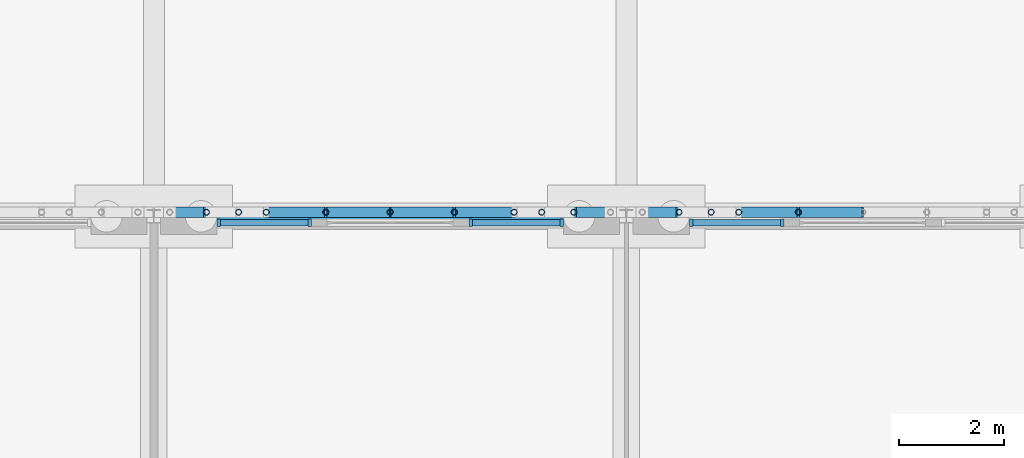
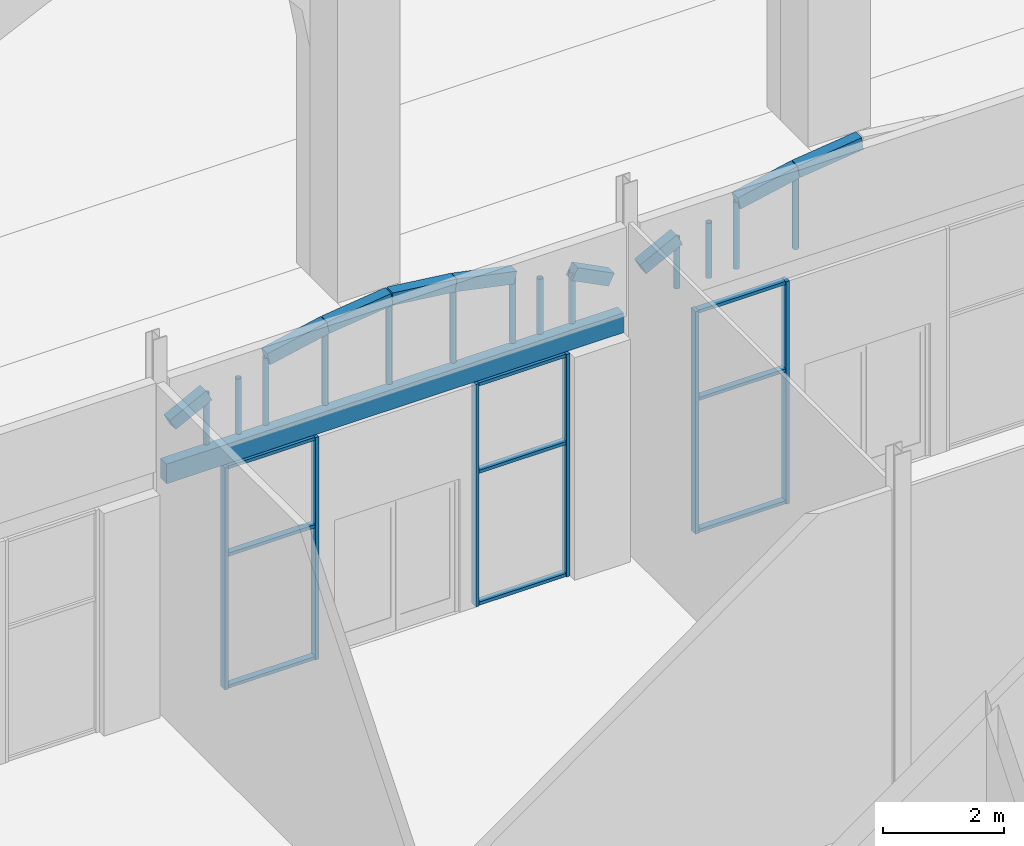
# One storey, part 46 of 250: 28 members, 10 beams, 3 elements without a shape of their own.
"""IFC4 building model written with IfcOpenShell, lengths in metres."""

from ifc_helpers import new_model, si_unit, direction, frame, origin, origin_2d, place, context, subcontext, project, spatial, rectangle, hollow_circle, extrude, material, material_profile, profile_set, type_object, element, aggregate, save


model = new_model("IFC4")

# Units and contexts
model_context = context("Model", 3, precision=1e-05, world=origin(), true_north=direction((0.0, 1.0)))
body_context = subcontext(model_context, "Body", "Model", "MODEL_VIEW")
ifc_project = project(units=[si_unit("LENGTHUNIT", "METRE"), si_unit("AREAUNIT", "SQUARE_METRE"), si_unit("VOLUMEUNIT", "CUBIC_METRE"), si_unit("PLANEANGLEUNIT", "RADIAN"), si_unit("MASSUNIT", "GRAM", prefix="KILO")], contexts=[model_context])

# Site, building, storey
site_placement = place(None, origin())
site = spatial("IfcSite", under=ifc_project, at=site_placement, CompositionType="ELEMENT")
building_placement = place(site_placement, origin())
building = spatial("IfcBuilding", under=site, at=building_placement, Name="Baradari Gate Terminus", CompositionType="ELEMENT")
storey_placement = place(building_placement, origin())
storey = spatial("IfcBuildingStorey", under=building, at=storey_placement, Name="L00", CompositionType="ELEMENT", Elevation=0.0)

# Members
ifc_material_1 = material(Name="Steel S355", Category="steel")
ifc_material_profile_1 = material_profile(ifc_material_1, hollow_circle(Radius=0.05712890625, WallThickness=0.00634765625, at=origin_2d()), Name="CHS 114.3x6.3")
ifc_profile_set_1 = profile_set([ifc_material_profile_1], Name="Steel S355")
member_type_1 = type_object("IfcMemberType", Name="Arcade arch post SP-2 114x6.3", PredefinedType="POST", material=ifc_profile_set_1)
member_1_placement = place(storey_placement, frame((82.00244140625, 108.07861328125, 4.89990234375), z_axis=(0.0, 0.0, 1.0), x_axis=(1.0, 0.0, 0.0)))
element("IfcMember", 1, at=member_1_placement, inside=storey, type_object=member_type_1, Name="Arcade arch post 9.3", PredefinedType="POST", context=body_context, shape_type="SweptSolid", body=[
    extrude(hollow_circle(Radius=0.05712890625, WallThickness=0.00634765625, at=origin_2d()), origin(), (0.0, 0.0, 1.0), 1.02587890625),
])
member_2_placement = place(storey_placement, frame((82.614501953125, 108.07861328125, 4.89990234375), z_axis=(0.0, 0.0, 1.0), x_axis=(1.0, 0.0, 0.0)))
element("IfcMember", 2, at=member_2_placement, inside=storey, type_object=member_type_1, Name="Arcade arch post 9.4", PredefinedType="POST", context=body_context, shape_type="SweptSolid", body=[
    extrude(hollow_circle(Radius=0.05712890625, WallThickness=0.00634765625, at=origin_2d()), origin(), (0.0, 0.0, 1.0), 1.115478515625),
])
member_3_placement = place(storey_placement, frame((83.13916015625, 108.07861328125, 4.89990234375), z_axis=(0.0, 0.0, 1.0), x_axis=(1.0, 0.0, 0.0)))
element("IfcMember", 3, at=member_3_placement, inside=storey, type_object=member_type_1, Name="Arcade arch post 9.5", PredefinedType="POST", context=body_context, shape_type="SweptSolid", body=[
    extrude(hollow_circle(Radius=0.05712890625, WallThickness=0.00634765625, at=origin_2d()), origin(), (0.0, 0.0, 1.0), 1.354248046875),
])
member_4_placement = place(storey_placement, frame((84.27587890625, 108.07861328125, 4.89990234375), z_axis=(0.0, 0.0, 1.0), x_axis=(1.0, 0.0, 0.0)))
element("IfcMember", 4, at=member_4_placement, inside=storey, type_object=member_type_1, Name="Arcade arch post 9.6", PredefinedType="POST", context=body_context, shape_type="SweptSolid", body=[
    extrude(hollow_circle(Radius=0.05712890625, WallThickness=0.00634765625, at=origin_2d()), origin(), (0.0, 0.0, 1.0), 1.593017578125),
])
member_5_placement = place(storey_placement, frame((85.5, 108.07861328125, 4.89990234375), z_axis=(0.0, 0.0, 1.0), x_axis=(1.0, 0.0, 0.0)))
element("IfcMember", 5, at=member_5_placement, inside=storey, type_object=member_type_1, Name="Arcade arch post 9.7", PredefinedType="POST", context=body_context, shape_type="SweptSolid", body=[
    extrude(hollow_circle(Radius=0.05712890625, WallThickness=0.00634765625, at=origin_2d()), origin(), (0.0, 0.0, 1.0), 1.7421875),
])
member_6_placement = place(storey_placement, frame((86.72412109375, 108.07861328125, 4.89990234375), z_axis=(0.0, 0.0, 1.0), x_axis=(1.0, 0.0, 0.0)))
element("IfcMember", 6, at=member_6_placement, inside=storey, type_object=member_type_1, Name="Arcade arch post 9.8", PredefinedType="POST", context=body_context, shape_type="SweptSolid", body=[
    extrude(hollow_circle(Radius=0.05712890625, WallThickness=0.00634765625, at=origin_2d()), origin(), (0.0, 0.0, 1.0), 1.593017578125),
])
member_7_placement = place(storey_placement, frame((87.86083984375, 108.07861328125, 4.89990234375), z_axis=(0.0, 0.0, 1.0), x_axis=(1.0, 0.0, 0.0)))
element("IfcMember", 7, at=member_7_placement, inside=storey, type_object=member_type_1, Name="Arcade arch post 9.9", PredefinedType="POST", context=body_context, shape_type="SweptSolid", body=[
    extrude(hollow_circle(Radius=0.05712890625, WallThickness=0.00634765625, at=origin_2d()), origin(), (0.0, 0.0, 1.0), 1.354248046875),
])
member_8_placement = place(storey_placement, frame((88.385498046875, 108.07861328125, 4.89990234375), z_axis=(0.0, 0.0, 1.0), x_axis=(1.0, 0.0, 0.0)))
element("IfcMember", 8, at=member_8_placement, inside=storey, type_object=member_type_1, Name="Arcade arch post 9.10", PredefinedType="POST", context=body_context, shape_type="SweptSolid", body=[
    extrude(hollow_circle(Radius=0.05712890625, WallThickness=0.00634765625, at=origin_2d()), origin(), (0.0, 0.0, 1.0), 1.115478515625),
])
for number, where, z_axis, x_axis, name in (
    (9, (88.99755859375, 108.07861328125, 4.89990234375), (0.0, 0.0, 1.0), (1.0, 0.0, 0.0), "Arcade arch post 9.11"),
    (10, (91.00244140625, 108.07861328125, 4.89990234375), (0.0, 0.0, 1.0), (1.0, 0.0, 0.0), "Arcade arch post 10.3"),
):
    element("IfcMember", number, at=place(storey_placement, frame(where, z_axis=z_axis, x_axis=x_axis)), inside=storey, type_object=member_type_1, Name=name, PredefinedType="POST", context=body_context, shape_type="SweptSolid", body=[
        extrude(hollow_circle(Radius=0.05712890625, WallThickness=0.00634765625, at=origin_2d()), origin(), (0.0, 0.0, 1.0), 1.02587890625),
    ])
member_9_placement = place(storey_placement, frame((91.614501953125, 108.07861328125, 4.89990234375), z_axis=(0.0, 0.0, 1.0), x_axis=(1.0, 0.0, 0.0)))
element("IfcMember", 11, at=member_9_placement, inside=storey, type_object=member_type_1, Name="Arcade arch post 10.4", PredefinedType="POST", context=body_context, shape_type="SweptSolid", body=[
    extrude(hollow_circle(Radius=0.05712890625, WallThickness=0.00634765625, at=origin_2d()), origin(), (0.0, 0.0, 1.0), 1.115478515625),
])
member_10_placement = place(storey_placement, frame((92.13916015625, 108.07861328125, 4.89990234375), z_axis=(0.0, 0.0, 1.0), x_axis=(1.0, 0.0, 0.0)))
element("IfcMember", 12, at=member_10_placement, inside=storey, type_object=member_type_1, Name="Arcade arch post 10.5", PredefinedType="POST", context=body_context, shape_type="SweptSolid", body=[
    extrude(hollow_circle(Radius=0.05712890625, WallThickness=0.00634765625, at=origin_2d()), origin(), (0.0, 0.0, 1.0), 1.354248046875),
])
member_11_placement = place(storey_placement, frame((93.27587890625, 108.07861328125, 4.89990234375), z_axis=(0.0, 0.0, 1.0), x_axis=(1.0, 0.0, 0.0)))
element("IfcMember", 13, at=member_11_placement, inside=storey, type_object=member_type_1, Name="Arcade arch post 10.6", PredefinedType="POST", context=body_context, shape_type="SweptSolid", body=[
    extrude(hollow_circle(Radius=0.05712890625, WallThickness=0.00634765625, at=origin_2d()), origin(), (0.0, 0.0, 1.0), 1.593017578125),
])

# Beams
ifc_material_2 = material(Name="Concrete C40/50 precast", Category="concrete")
ifc_material_profile_2 = material_profile(ifc_material_2, rectangle(XDim=0.199951171875, YDim=0.25, at=origin_2d()), Name="AB-1 200X250")
ifc_profile_set_2 = profile_set([ifc_material_profile_2], Name="Concrete C40/50 precast")
beam_type_1 = type_object("IfcBeamType", Name="Arcade arch segment AB-1 200x250", PredefinedType="BEAM", material=ifc_profile_set_2)
beam_1_placement = place(storey_placement, frame((81.302978515625, 108.07861328125, 5.56787109375), z_axis=(0.89022472097, 0.0, 0.455521619875), x_axis=(0.0, 1.0, 0.0)))
element("IfcBeam", 14, at=beam_1_placement, inside=storey, type_object=beam_type_1, Name="Arcade arch AB-1 bay 9 segment 2", PredefinedType="BEAM", context=body_context, shape_type="SweptSolid", body=[
    extrude(rectangle(XDim=0.199951171875, YDim=0.25, at=origin_2d()), origin(), (0.0, 0.0, 1.0), 0.78564453125),
])
beam_2_placement = place(storey_placement, frame((83.13916015625, 108.07861328125, 6.254150390625), z_axis=(0.978643349291, 0.0, 0.205565548885), x_axis=(0.0, 1.0, 0.0)))
element("IfcBeam", 15, at=beam_2_placement, inside=storey, type_object=beam_type_1, Name="Arcade arch AB-1 bay 9 segment 5", PredefinedType="BEAM", context=body_context, shape_type="SweptSolid", body=[
    extrude(rectangle(XDim=0.199951171875, YDim=0.25, at=origin_2d()), origin(), (0.0, 0.0, 1.0), 1.16162109375),
])
for number, where, z_axis, x_axis, name in (
    (16, (84.27587890625, 108.07861328125, 6.492919921875), (0.992656897947, 0.0, 0.120963973802), (0.0, 1.0, 0.0), "Arcade arch AB-1 bay 9 segment 6"),
    (17, (85.5, 108.07861328125, 6.64208984375), (0.992656897947, 0.0, -0.120963973802), (0.0, 1.0, 0.0), "Arcade arch AB-1 bay 9 segment 7"),
):
    element("IfcBeam", number, at=place(storey_placement, frame(where, z_axis=z_axis, x_axis=x_axis)), inside=storey, type_object=beam_type_1, Name=name, PredefinedType="BEAM", context=body_context, shape_type="SweptSolid", body=[
        extrude(rectangle(XDim=0.199951171875, YDim=0.25, at=origin_2d()), origin(), (0.0, 0.0, 1.0), 1.233154296875),
    ])
beam_3_placement = place(storey_placement, frame((86.72412109375, 108.07861328125, 6.492919921875), z_axis=(0.978643349291, 0.0, -0.205565548885), x_axis=(0.0, 1.0, 0.0)))
element("IfcBeam", 18, at=beam_3_placement, inside=storey, type_object=beam_type_1, Name="Arcade arch AB-1 bay 9 segment 8", PredefinedType="BEAM", context=body_context, shape_type="SweptSolid", body=[
    extrude(rectangle(XDim=0.199951171875, YDim=0.25, at=origin_2d()), origin(), (0.0, 0.0, 1.0), 1.16162109375),
])
for number, where, z_axis, x_axis, name in (
    (19, (88.99755859375, 108.07861328125, 5.92578125), (0.89022472097, 0.0, -0.455521619875), (0.0, 1.0, 0.0), "Arcade arch AB-1 bay 9 segment 11"),
    (20, (90.302978515625, 108.07861328125, 5.56787109375), (0.89022472097, 0.0, 0.455521619875), (0.0, 1.0, 0.0), "Arcade arch AB-1 bay 10 segment 2"),
):
    element("IfcBeam", number, at=place(storey_placement, frame(where, z_axis=z_axis, x_axis=x_axis)), inside=storey, type_object=beam_type_1, Name=name, PredefinedType="BEAM", context=body_context, shape_type="SweptSolid", body=[
        extrude(rectangle(XDim=0.199951171875, YDim=0.25, at=origin_2d()), origin(), (0.0, 0.0, 1.0), 0.78564453125),
    ])
beam_4_placement = place(storey_placement, frame((92.13916015625, 108.07861328125, 6.254150390625), z_axis=(0.978643349291, 0.0, 0.205565548885), x_axis=(0.0, 1.0, 0.0)))
element("IfcBeam", 21, at=beam_4_placement, inside=storey, type_object=beam_type_1, Name="Arcade arch AB-1 bay 10 segment 5", PredefinedType="BEAM", context=body_context, shape_type="SweptSolid", body=[
    extrude(rectangle(XDim=0.199951171875, YDim=0.25, at=origin_2d()), origin(), (0.0, 0.0, 1.0), 1.16162109375),
])
beam_5_placement = place(storey_placement, frame((93.27587890625, 108.07861328125, 6.492919921875), z_axis=(0.992656897947, 0.0, 0.120963973802), x_axis=(0.0, 1.0, 0.0)))
element("IfcBeam", 22, at=beam_5_placement, inside=storey, type_object=beam_type_1, Name="Arcade arch AB-1 bay 10 segment 6", PredefinedType="BEAM", context=body_context, shape_type="SweptSolid", body=[
    extrude(rectangle(XDim=0.199951171875, YDim=0.25, at=origin_2d()), origin(), (0.0, 0.0, 1.0), 1.233154296875),
])
ifc_material_3 = material(Name="Concrete C50/60 precast", Category="concrete")
ifc_material_profile_3 = material_profile(ifc_material_3, rectangle(XDim=0.199951171875, YDim=0.39990234375, at=origin_2d()), Name="LB-1 200X400")
ifc_profile_set_3 = profile_set([ifc_material_profile_3], Name="Concrete C50/60 precast")
beam_type_2 = type_object("IfcBeamType", Name="Arcade lintel LB-1 200x400", PredefinedType="LINTEL", material=ifc_profile_set_3)
beam_6_placement = place(storey_placement, frame((81.128173828125, 107.978515625, 4.699951171875), z_axis=(1.0, 0.0, 0.0), x_axis=(0.0, 1.0, 0.0)))
element("IfcBeam", 23, at=beam_6_placement, inside=storey, type_object=beam_type_2, Name="Arcade lintel LB-1 bay 9", PredefinedType="LINTEL", context=body_context, shape_type="SweptSolid", body=[
    extrude(rectangle(XDim=0.199951171875, YDim=0.39990234375, at=origin_2d()), origin(), (0.0, 0.0, 1.0), 8.74365234375),
])

# Curtain wall, members
ifc_material_4 = material(Name="Aluminium 6063-T6", Category="aluminium")
curtain_wall_type = type_object("IfcCurtainWallType", Name="Curtain wall CW-2 shopfront", PredefinedType="NOTDEFINED", material=ifc_material_4)
curtain_wall_1_placement = place(storey_placement, origin())
curtain_wall_1 = element("IfcCurtainWall", 24, at=curtain_wall_1_placement, inside=storey, type_object=curtain_wall_type, Name="Shopfront curtain wall CW-2 HN bay 9 L00", PredefinedType="NOTDEFINED")
ifc_material_5 = material(Name="Aluminium 6063-T6", Category="aluminium")
ifc_material_profile_4 = material_profile(ifc_material_5, rectangle(XDim=0.14990234375, YDim=0.06494140625, at=origin_2d()), Name="CM-2 65X150")
ifc_profile_set_4 = profile_set([ifc_material_profile_4], Name="Aluminium 6063-T6")
member_type_2 = type_object("IfcMemberType", Name="Curtain wall mullion CM-2 65x150", PredefinedType="MULLION", material=ifc_profile_set_4)
member_12_placement = place(storey_placement, frame((82.232421875, 107.87841796875, 0.0), z_axis=(0.0, 0.0, 1.0), x_axis=(0.0, 1.0, 0.0)))
member_12 = element("IfcMember", 25, at=member_12_placement, type_object=member_type_2, Name="CW-2 mullion 1", PredefinedType="MULLION", context=body_context, shape_type="SweptSolid", body=[
    extrude(rectangle(XDim=0.14990234375, YDim=0.06494140625, at=origin_2d()), origin(), (0.0, 0.0, 1.0), 4.5),
])
member_13_placement = place(storey_placement, frame((83.967529296875, 107.87841796875, 0.0), z_axis=(0.0, 0.0, 1.0), x_axis=(0.0, 1.0, 0.0)))
member_13 = element("IfcMember", 26, at=member_13_placement, type_object=member_type_2, Name="CW-2 mullion 2", PredefinedType="MULLION", context=body_context, shape_type="SweptSolid", body=[
    extrude(rectangle(XDim=0.14990234375, YDim=0.06494140625, at=origin_2d()), origin(), (0.0, 0.0, 1.0), 4.5),
])

curtain_wall_2_placement = place(storey_placement, origin())
curtain_wall_2 = element("IfcCurtainWall", 27, at=curtain_wall_2_placement, inside=storey, type_object=curtain_wall_type, Name="Shopfront curtain wall CW-2 HN bay 9 L00", PredefinedType="NOTDEFINED")
member_14_placement = place(storey_placement, frame((87.032470703125, 107.87841796875, 0.0), z_axis=(0.0, 0.0, 1.0), x_axis=(0.0, 1.0, 0.0)))
member_14 = element("IfcMember", 28, at=member_14_placement, type_object=member_type_2, Name="CW-2 mullion 1", PredefinedType="MULLION", context=body_context, shape_type="SweptSolid", body=[
    extrude(rectangle(XDim=0.14990234375, YDim=0.06494140625, at=origin_2d()), origin(), (0.0, 0.0, 1.0), 4.5),
])
member_15_placement = place(storey_placement, frame((88.767578125, 107.87841796875, 0.0), z_axis=(0.0, 0.0, 1.0), x_axis=(0.0, 1.0, 0.0)))
member_15 = element("IfcMember", 29, at=member_15_placement, type_object=member_type_2, Name="CW-2 mullion 2", PredefinedType="MULLION", context=body_context, shape_type="SweptSolid", body=[
    extrude(rectangle(XDim=0.14990234375, YDim=0.06494140625, at=origin_2d()), origin(), (0.0, 0.0, 1.0), 4.5),
])

curtain_wall_3_placement = place(storey_placement, origin())
curtain_wall_3 = element("IfcCurtainWall", 30, at=curtain_wall_3_placement, inside=storey, type_object=curtain_wall_type, Name="Shopfront curtain wall CW-2 HN bay 10 L00", PredefinedType="NOTDEFINED")
member_16_placement = place(storey_placement, frame((91.232421875, 107.87841796875, 0.0), z_axis=(0.0, 0.0, 1.0), x_axis=(0.0, 1.0, 0.0)))
member_16 = element("IfcMember", 31, at=member_16_placement, type_object=member_type_2, Name="CW-2 mullion 1", PredefinedType="MULLION", context=body_context, shape_type="SweptSolid", body=[
    extrude(rectangle(XDim=0.14990234375, YDim=0.06494140625, at=origin_2d()), origin(), (0.0, 0.0, 1.0), 4.5),
])
member_17_placement = place(storey_placement, frame((92.967529296875, 107.87841796875, 0.0), z_axis=(0.0, 0.0, 1.0), x_axis=(0.0, 1.0, 0.0)))
member_17 = element("IfcMember", 32, at=member_17_placement, type_object=member_type_2, Name="CW-2 mullion 2", PredefinedType="MULLION", context=body_context, shape_type="SweptSolid", body=[
    extrude(rectangle(XDim=0.14990234375, YDim=0.06494140625, at=origin_2d()), origin(), (0.0, 0.0, 1.0), 4.5),
])

# Member
ifc_material_6 = material(Name="Aluminium 6063-T6", Category="aluminium")
ifc_material_profile_5 = material_profile(ifc_material_6, rectangle(XDim=0.1201171875, YDim=0.06494140625, at=origin_2d()), Name="CT-2 65X120")
ifc_profile_set_5 = profile_set([ifc_material_profile_5], Name="Aluminium 6063-T6")
member_type_3 = type_object("IfcMemberType", Name="Curtain wall transom CT-2 65x120", PredefinedType="USERDEFINED", material=ifc_profile_set_5)
member_18_placement = place(storey_placement, frame((82.264892578125, 107.87841796875, 0.032470703125), z_axis=(1.0, 0.0, 0.0), x_axis=(0.0, 1.0, 0.0)))
member_18 = element("IfcMember", 33, at=member_18_placement, type_object=member_type_3, Name="CW-2 transom 1.1", ObjectType="TRANSOM", PredefinedType="USERDEFINED", context=body_context, shape_type="SweptSolid", body=[
    extrude(rectangle(XDim=0.1201171875, YDim=0.06494140625, at=origin_2d()), origin(), (0.0, 0.0, 1.0), 1.670166015625),
])

member_19_placement = place(storey_placement, frame((82.264892578125, 107.87841796875, 2.699951171875), z_axis=(1.0, 0.0, 0.0), x_axis=(0.0, 1.0, 0.0)))
member_19 = element("IfcMember", 34, at=member_19_placement, type_object=member_type_3, Name="CW-2 transom 1.2", ObjectType="TRANSOM", PredefinedType="USERDEFINED", context=body_context, shape_type="SweptSolid", body=[
    extrude(rectangle(XDim=0.1201171875, YDim=0.06494140625, at=origin_2d()), origin(), (0.0, 0.0, 1.0), 1.670166015625),
])

member_20_placement = place(storey_placement, frame((82.264892578125, 107.87841796875, 4.467529296875), z_axis=(1.0, 0.0, 0.0), x_axis=(0.0, 1.0, 0.0)))
member_20 = element("IfcMember", 35, at=member_20_placement, type_object=member_type_3, Name="CW-2 transom 1.3", ObjectType="TRANSOM", PredefinedType="USERDEFINED", context=body_context, shape_type="SweptSolid", body=[
    extrude(rectangle(XDim=0.1201171875, YDim=0.06494140625, at=origin_2d()), origin(), (0.0, 0.0, 1.0), 1.670166015625),
])

aggregate(curtain_wall_1, [member_12, member_13, member_18, member_19, member_20])

member_21_placement = place(storey_placement, frame((87.06494140625, 107.87841796875, 0.032470703125), z_axis=(1.0, 0.0, 0.0), x_axis=(0.0, 1.0, 0.0)))
member_21 = element("IfcMember", 36, at=member_21_placement, type_object=member_type_3, Name="CW-2 transom 1.1", ObjectType="TRANSOM", PredefinedType="USERDEFINED", context=body_context, shape_type="SweptSolid", body=[
    extrude(rectangle(XDim=0.1201171875, YDim=0.06494140625, at=origin_2d()), origin(), (0.0, 0.0, 1.0), 1.670166015625),
])

member_22_placement = place(storey_placement, frame((87.06494140625, 107.87841796875, 2.699951171875), z_axis=(1.0, 0.0, 0.0), x_axis=(0.0, 1.0, 0.0)))
member_22 = element("IfcMember", 37, at=member_22_placement, type_object=member_type_3, Name="CW-2 transom 1.2", ObjectType="TRANSOM", PredefinedType="USERDEFINED", context=body_context, shape_type="SweptSolid", body=[
    extrude(rectangle(XDim=0.1201171875, YDim=0.06494140625, at=origin_2d()), origin(), (0.0, 0.0, 1.0), 1.670166015625),
])

member_23_placement = place(storey_placement, frame((87.06494140625, 107.87841796875, 4.467529296875), z_axis=(1.0, 0.0, 0.0), x_axis=(0.0, 1.0, 0.0)))
member_23 = element("IfcMember", 38, at=member_23_placement, type_object=member_type_3, Name="CW-2 transom 1.3", ObjectType="TRANSOM", PredefinedType="USERDEFINED", context=body_context, shape_type="SweptSolid", body=[
    extrude(rectangle(XDim=0.1201171875, YDim=0.06494140625, at=origin_2d()), origin(), (0.0, 0.0, 1.0), 1.670166015625),
])

aggregate(curtain_wall_2, [member_14, member_15, member_21, member_22, member_23])

member_24_placement = place(storey_placement, frame((91.264892578125, 107.87841796875, 0.032470703125), z_axis=(1.0, 0.0, 0.0), x_axis=(0.0, 1.0, 0.0)))
member_24 = element("IfcMember", 39, at=member_24_placement, type_object=member_type_3, Name="CW-2 transom 1.1", ObjectType="TRANSOM", PredefinedType="USERDEFINED", context=body_context, shape_type="SweptSolid", body=[
    extrude(rectangle(XDim=0.1201171875, YDim=0.06494140625, at=origin_2d()), origin(), (0.0, 0.0, 1.0), 1.670166015625),
])

member_25_placement = place(storey_placement, frame((91.264892578125, 107.87841796875, 2.699951171875), z_axis=(1.0, 0.0, 0.0), x_axis=(0.0, 1.0, 0.0)))
member_25 = element("IfcMember", 40, at=member_25_placement, type_object=member_type_3, Name="CW-2 transom 1.2", ObjectType="TRANSOM", PredefinedType="USERDEFINED", context=body_context, shape_type="SweptSolid", body=[
    extrude(rectangle(XDim=0.1201171875, YDim=0.06494140625, at=origin_2d()), origin(), (0.0, 0.0, 1.0), 1.670166015625),
])

member_26_placement = place(storey_placement, frame((91.264892578125, 107.87841796875, 4.467529296875), z_axis=(1.0, 0.0, 0.0), x_axis=(0.0, 1.0, 0.0)))
member_26 = element("IfcMember", 41, at=member_26_placement, type_object=member_type_3, Name="CW-2 transom 1.3", ObjectType="TRANSOM", PredefinedType="USERDEFINED", context=body_context, shape_type="SweptSolid", body=[
    extrude(rectangle(XDim=0.1201171875, YDim=0.06494140625, at=origin_2d()), origin(), (0.0, 0.0, 1.0), 1.670166015625),
])

aggregate(curtain_wall_3, [member_16, member_17, member_24, member_25, member_26])

save(model, "model.ifc")
